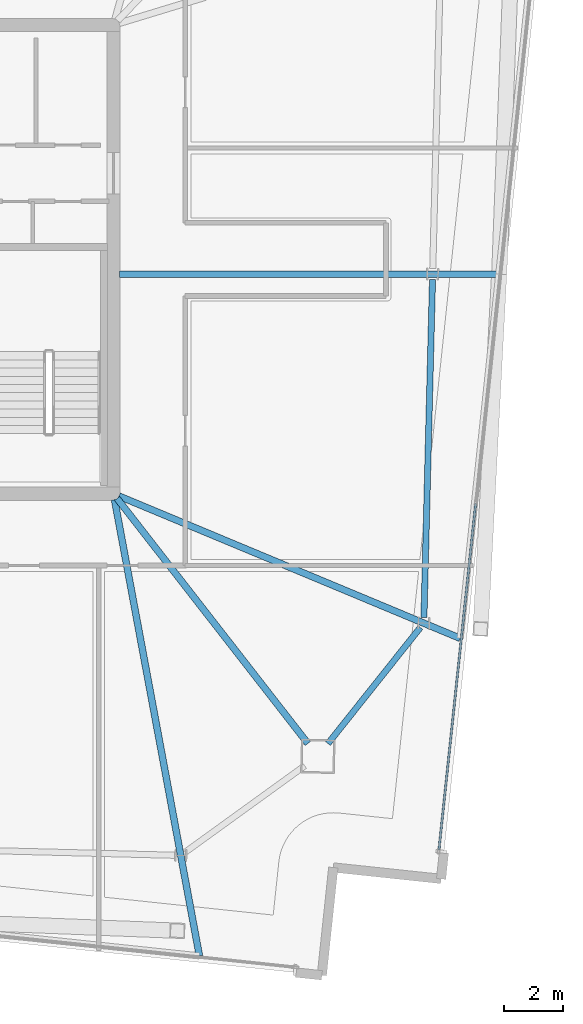
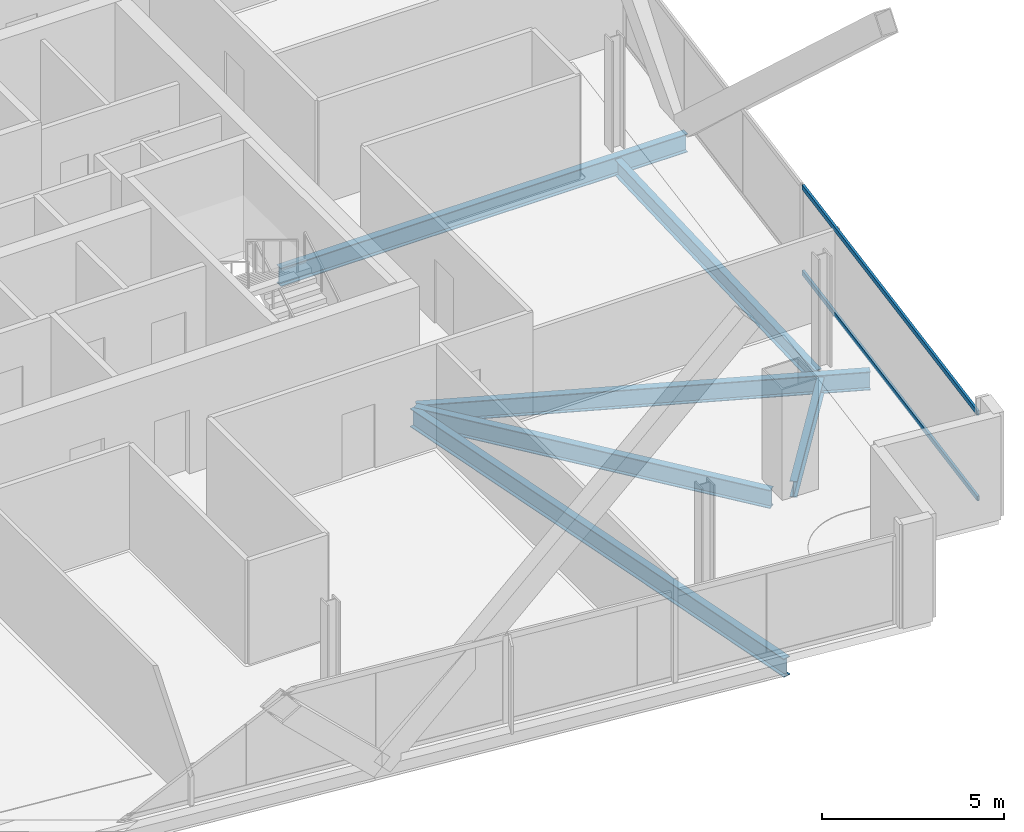
# One storey, part 8 of 24: 6 beams, 2 members, 1 element without a shape of its own.
"""IFC4 building model written with IfcOpenShell, lengths in metres."""

import ifcopenshell
import ifcopenshell.guid

model = None  # the IFC model being written
_history = None  # IfcOwnerHistory: only IFC2X3 demands one
_inside = {}  # id of a spatial element -> (the spatial element, [elements in it])
_under = {}  # id of a project, library or spatial element -> (it, [spatial elements below it])
_declared = {}  # id of a project -> (the project, [libraries it declares])
_typed = {}  # id of a type object -> (the type object, [elements of that type])
_made_of = {}  # id of a material, layer set ... -> (it, [elements and type objects made of it])


def new_model(schema):
    """Start an empty IFC model of exactly this schema.

    Asked for "IFC4X3", IfcOpenShell would pick the latest addendum, in which some entities
    have other attributes; the version numbers below select the first issue.
    IFC2X3 requires an IfcOwnerHistory on every rooted entity: one is made here for all.
    """
    global model, _history
    if schema == "IFC4X3":
        model = ifcopenshell.file(schema_version=(4, 3, 0, 0))
    else:
        model = ifcopenshell.file(schema=schema)
    _inside.clear()
    _under.clear()
    _declared.clear()
    _typed.clear()
    _made_of.clear()
    _history = None
    if model.schema == "IFC2X3":
        org = make("IfcOrganization", Name="unknown")
        user = make(
            "IfcPersonAndOrganization",
            ThePerson=make("IfcPerson", FamilyName="unknown"),
            TheOrganization=org,
        )
        app = make(
            "IfcApplication",
            ApplicationDeveloper=org,
            Version="unknown",
            ApplicationFullName="unknown",
            ApplicationIdentifier="unknown",
        )
        _history = make(
            "IfcOwnerHistory",
            OwningUser=user,
            OwningApplication=app,
            ChangeAction="ADDED",
            CreationDate=0,
        )
    return model


def make(cls, **values):
    """One entity of the class cls with the attributes given. An attribute that is None is left unset."""
    return model.create_entity(
        cls, **{name: value for name, value in values.items() if value is not None}
    )


def rooted(cls, **values):
    """An entity with a GlobalId (a new one), such as an element, a storey or a relation."""
    return make(cls, GlobalId=ifcopenshell.guid.new(), OwnerHistory=_history, **values)


def si_unit(unit_type, name, prefix=None):
    """IfcSIUnit, for example si_unit("LENGTHUNIT", "METRE", prefix="MILLI")."""
    return make("IfcSIUnit", UnitType=unit_type, Prefix=prefix, Name=name)


def assignment(units):
    """IfcUnitAssignment: the units of a project."""
    return None if units is None else make("IfcUnitAssignment", Units=units)


def point(xyz):
    """IfcCartesianPoint."""
    return None if xyz is None else make("IfcCartesianPoint", Coordinates=xyz)


def direction(xyz):
    """IfcDirection."""
    return None if xyz is None else make("IfcDirection", DirectionRatios=xyz)


def frame(location, z_axis=None, x_axis=None):
    """IfcAxis2Placement3D, a coordinate frame: its origin and axes. An axis left out is left unset."""
    return make(
        "IfcAxis2Placement3D",
        Location=point(location),
        Axis=direction(z_axis),
        RefDirection=direction(x_axis),
    )


def frame_2d(location, x_axis=None):
    """IfcAxis2Placement2D, a coordinate frame in the plane: its origin and x axis."""
    return make(
        "IfcAxis2Placement2D", Location=point(location), RefDirection=direction(x_axis)
    )


def origin():
    """The frame at (0, 0, 0) with its axes left unset."""
    return frame((0.0, 0.0, 0.0))


def origin_2d():
    """The frame at (0, 0) in the plane with its x axis left unset."""
    return frame_2d((0.0, 0.0))


def place(relative_to, where):
    """IfcLocalPlacement: puts the frame where relative to a parent placement (None: the world)."""
    return make(
        "IfcLocalPlacement", PlacementRelTo=relative_to, RelativePlacement=where
    )


def context(
    kind, dimensions, precision=None, world=None, true_north=None, identifier=None
):
    """IfcGeometricRepresentationContext, for example the 3D "Model" context."""
    return make(
        "IfcGeometricRepresentationContext",
        ContextIdentifier=identifier,
        ContextType=kind,
        CoordinateSpaceDimension=dimensions,
        Precision=precision,
        WorldCoordinateSystem=world,
        TrueNorth=true_north,
    )


def subcontext(parent, identifier, kind, view, scale=None):
    """IfcGeometricRepresentationSubContext, for example "Body" below "Model"."""
    return make(
        "IfcGeometricRepresentationSubContext",
        ContextIdentifier=identifier,
        ContextType=kind,
        ParentContext=parent,
        TargetScale=scale,
        TargetView=view,
    )


def project(units=None, contexts=None):
    """IfcProject with its units and contexts."""
    return rooted(
        "IfcProject",
        Name="project",
        RepresentationContexts=contexts,
        UnitsInContext=assignment(units),
    )


def spatial(cls, under=None, at=None, **own):
    """A site, building, storey or space (cls), placed at a placement, below another one or the project."""
    s = rooted(cls, ObjectPlacement=at, **own)
    if under is not None:
        _under.setdefault(under.id(), (under, []))[1].append(s)
    return s


def profile(cls, at=None, kind="AREA", **sizes):
    """A parametric profile (cls). Its sizes go by their IFC names, for example OverallWidth=200.0."""
    return make(cls, ProfileType=kind, Position=at, **sizes)


def hollow_rectangle(**sizes):
    """IfcRectangleHollowProfileDef."""
    return profile("IfcRectangleHollowProfileDef", **sizes)


def i_section(**sizes):
    """IfcIShapeProfileDef."""
    return profile("IfcIShapeProfileDef", **sizes)


def extrude(swept, where, along, depth):
    """IfcExtrudedAreaSolid: the profile swept, set in the frame where, extruded along a direction by depth."""
    return make(
        "IfcExtrudedAreaSolid",
        SweptArea=swept,
        Position=where,
        ExtrudedDirection=direction(along),
        Depth=depth,
    )


def shape(context_of_items, identifier, shape_type, items):
    """IfcShapeRepresentation: the items that make up one representation, for example the "Body"."""
    return make(
        "IfcShapeRepresentation",
        ContextOfItems=context_of_items,
        RepresentationIdentifier=identifier,
        RepresentationType=shape_type,
        Items=items,
    )


def material(Name=None, Category=None):
    """IfcMaterial."""
    return make("IfcMaterial", Name=Name, Category=Category)


def material_profile(
    of_material, cross_section, Name=None, Category=None, Priority=None
):
    """IfcMaterialProfile: a cross section and its material."""
    return make(
        "IfcMaterialProfile",
        Name=Name,
        Material=of_material,
        Profile=cross_section,
        Priority=Priority,
        Category=Category,
    )


def profile_set(profiles, Name=None, composite=None):
    """IfcMaterialProfileSet."""
    return make(
        "IfcMaterialProfileSet",
        Name=Name,
        MaterialProfiles=profiles,
        CompositeProfile=composite,
    )


def made_of(thing, what):
    """Note that an element or type object is made of a material, layer set ...; save() writes the relation."""
    if what is not None:
        _made_of.setdefault(what.id(), (what, []))[1].append(thing)
    return thing


def type_object(cls, material=None, **own):
    """A type object (cls), such as IfcWallType, which elements share."""
    return made_of(rooted(cls, **own), material)


def element(
    cls,
    number,
    at=None,
    inside=None,
    cuts=None,
    type_object=None,
    material=None,
    context=None,
    identifier="Body",
    shape_type=None,
    held_by="IfcProductDefinitionShape",
    body=None,
    shapes=None,
    **own,
):
    """One element of the class cls, such as IfcWall. Its Tag is "e" and its number.

    at: its placement. inside: the storey or other place that contains it. cuts: it is an
    opening in that element (IfcRelVoidsElement). A single representation is given by context,
    identifier, shape_type and body (its items); several are given by shapes. held_by: the class
    of the entity that holds the representations. save() writes the other relations.
    """
    e = rooted(cls, Tag="e%d" % number, ObjectPlacement=at, **own)
    if body is not None:
        shapes = [shape(context, identifier, shape_type, body)]
    if shapes is not None:
        e.Representation = make(held_by, Representations=shapes)
    if inside is not None:
        _inside.setdefault(inside.id(), (inside, []))[1].append(e)
    if cuts is not None:
        rooted(
            "IfcRelVoidsElement", RelatingBuildingElement=cuts, RelatedOpeningElement=e
        )
    if type_object is not None:
        _typed.setdefault(type_object.id(), (type_object, []))[1].append(e)
    return made_of(e, material)


def aggregate(whole, parts):
    """IfcRelAggregates: a whole, such as a stair, and the parts it consists of."""
    return rooted("IfcRelAggregates", RelatingObject=whole, RelatedObjects=parts)


def save(model, path):
    """Write the relations noted so far, then the file.

    IfcRelAggregates (storeys below a building ...), IfcRelContainedInSpatialStructure (elements
    in a storey), IfcRelDefinesByType, IfcRelAssociatesMaterial and IfcRelDeclares: one each for
    every whole, place, type object, material and project.
    """
    for whole, parts in _under.values():
        aggregate(whole, parts)
    for where, things in _inside.values():
        rooted(
            "IfcRelContainedInSpatialStructure",
            RelatedElements=things,
            RelatingStructure=where,
        )
    for kind, things in _typed.values():
        rooted("IfcRelDefinesByType", RelatedObjects=things, RelatingType=kind)
    for what, things in _made_of.values():
        rooted("IfcRelAssociatesMaterial", RelatedObjects=things, RelatingMaterial=what)
    for by, libraries in _declared.values():
        rooted("IfcRelDeclares", RelatingContext=by, RelatedDefinitions=libraries)
    model.write(path)


model = new_model("IFC4")

# Units and contexts
model_context = context("Model", 3, precision=1e-05, world=origin(), true_north=direction((0.0, 1.0)))
body_context = subcontext(model_context, "Body", "Model", "MODEL_VIEW")
ifc_project = project(units=[si_unit("LENGTHUNIT", "METRE"), si_unit("AREAUNIT", "SQUARE_METRE"), si_unit("VOLUMEUNIT", "CUBIC_METRE"), si_unit("PLANEANGLEUNIT", "RADIAN"), si_unit("MASSUNIT", "GRAM", prefix="KILO")], contexts=[model_context])

# Site, building, storey
site_placement = place(None, origin())
site = spatial("IfcSite", under=ifc_project, at=site_placement, CompositionType="ELEMENT")
building_placement = place(site_placement, origin())
building = spatial("IfcBuilding", under=site, at=building_placement, Name="Haldenkirk Collegiate Tower", CompositionType="ELEMENT")
storey_placement = place(building_placement, frame((0.0, 0.0, 310.199951171875)))
storey = spatial("IfcBuildingStorey", under=building, at=storey_placement, Name="L78", CompositionType="ELEMENT", Elevation=310.199951171875)

# Beams
ifc_material_1 = material(Name="Steel ASTM A992 Grade 50", Category="steel")
ifc_material_profile_1 = material_profile(ifc_material_1, i_section(OverallWidth=0.22998046875, OverallDepth=0.616943359375, WebThickness=0.01318359375, FlangeThickness=0.022216796875, at=origin_2d()), Name="W24X94")
ifc_profile_set_1 = profile_set([ifc_material_profile_1], Name="Steel ASTM A992 Grade 50")
beam_type_1 = type_object("IfcBeamType", Name="BM-GIRDER-W24X94", PredefinedType="BEAM", material=ifc_profile_set_1)
beam_1_placement = place(storey_placement, frame((51.635009765625, 9.478271484375, -0.568359375), z_axis=(-0.614347328176, 0.789035715518, 0.0), x_axis=(-0.789035715518, -0.614347328176, 0.0)))
element("IfcBeam", 1, at=beam_1_placement, inside=storey, type_object=beam_type_1, Name="L78 primary floor girder 01", PredefinedType="BEAM", context=body_context, shape_type="SweptSolid", body=[
    extrude(i_section(OverallWidth=0.22998046875, OverallDepth=0.616943359375, WebThickness=0.01318359375, FlangeThickness=0.022216796875, at=origin_2d()), origin(), (0.0, 0.0, 1.0), 10.594970703125),
])
beam_2_placement = place(storey_placement, frame((56.8330078125, 13.06689453125, -0.568359375), z_axis=(-0.923001898394, 0.384795394413, 0.0), x_axis=(-0.384795394413, -0.923001898394, 0.0)))
element("IfcBeam", 2, at=beam_2_placement, inside=storey, type_object=beam_type_1, Name="L78 primary floor girder 05", PredefinedType="BEAM", context=body_context, shape_type="SweptSolid", body=[
    extrude(i_section(OverallWidth=0.22998046875, OverallDepth=0.616943359375, WebThickness=0.01318359375, FlangeThickness=0.022216796875, at=origin_2d()), origin(), (0.0, 0.0, 1.0), 12.615234375),
])
beam_3_placement = place(storey_placement, frame((58.150390625, 25.496337890625, -0.568359375), z_axis=(-1.0, 0.0, 0.0), x_axis=(0.0, -1.0, 0.0)))
element("IfcBeam", 3, at=beam_3_placement, inside=storey, type_object=beam_type_1, Name="L78 primary floor girder 06", PredefinedType="BEAM", context=body_context, shape_type="SweptSolid", body=[
    extrude(i_section(OverallWidth=0.22998046875, OverallDepth=0.616943359375, WebThickness=0.01318359375, FlangeThickness=0.022216796875, at=origin_2d()), origin(), (0.0, 0.0, 1.0), 12.9453125),
])
beam_4_placement = place(storey_placement, frame((47.934814453125, 2.229736328125, -0.568359375), z_axis=(-0.182949846509, 0.983122247568, 0.0), x_axis=(-0.983122247568, -0.182949846509, 0.0)))
element("IfcBeam", 4, at=beam_4_placement, inside=storey, type_object=beam_type_1, Name="L78 primary floor girder 16", PredefinedType="BEAM", context=body_context, shape_type="SweptSolid", body=[
    extrude(i_section(OverallWidth=0.22998046875, OverallDepth=0.616943359375, WebThickness=0.01318359375, FlangeThickness=0.022216796875, at=origin_2d()), origin(), (0.0, 0.0, 1.0), 15.836181640625),
])
ifc_material_profile_2 = material_profile(ifc_material_1, i_section(OverallWidth=0.2099609375, OverallDepth=0.537109375, WebThickness=0.010986328125, FlangeThickness=0.017333984375, at=origin_2d()), Name="W21X68")
ifc_profile_set_2 = profile_set([ifc_material_profile_2], Name="Steel ASTM A992 Grade 50")
beam_type_2 = type_object("IfcBeamType", Name="BM-SPANDREL-W21X68", PredefinedType="SPANDREL", material=ifc_profile_set_2)
beam_5_placement = place(storey_placement, frame((52.321533203125, 9.474609375, -0.528564453125), z_axis=(0.622700032294, 0.782460650628, 0.0), x_axis=(-0.782460650628, 0.622700032294, 0.0)))
element("IfcBeam", 5, at=beam_5_placement, inside=storey, type_object=beam_type_2, Name="L78 perimeter spandrel beam 01", PredefinedType="SPANDREL", context=body_context, shape_type="SweptSolid", body=[
    extrude(i_section(OverallWidth=0.2099609375, OverallDepth=0.537109375, WebThickness=0.010986328125, FlangeThickness=0.017333984375, at=origin_2d()), origin(), (0.0, 0.0, 1.0), 5.064453125),
])
beam_6_placement = place(storey_placement, frame((55.596923828125, 13.772216796875, -0.528564453125), z_axis=(0.025302458902, 0.999679841536, 0.0), x_axis=(-0.999679841536, 0.025302458902, 0.0)))
element("IfcBeam", 6, at=beam_6_placement, inside=storey, type_object=beam_type_2, Name="L78 perimeter spandrel beam 02", PredefinedType="SPANDREL", context=body_context, shape_type="SweptSolid", body=[
    extrude(i_section(OverallWidth=0.2099609375, OverallDepth=0.537109375, WebThickness=0.010986328125, FlangeThickness=0.017333984375, at=origin_2d()), origin(), (0.0, 0.0, 1.0), 11.5400390625),
])

# Curtain wall, members
ifc_material_2 = material(Name="Anodised architectural bronze aluminium", Category="aluminium")
curtain_wall_type = type_object("IfcCurtainWallType", Name="CW-SYS2-CONCAVE", PredefinedType="USERDEFINED", material=ifc_material_2)
curtain_wall_placement = place(storey_placement, origin())
curtain_wall = element("IfcCurtainWall", 7, at=curtain_wall_placement, inside=storey, type_object=curtain_wall_type, Name="L78 South concave recessed bronze-anodised curtain wall", ObjectType="UNITISED CURTAIN WALL", PredefinedType="USERDEFINED")
ifc_material_profile_3 = material_profile(ifc_material_2, hollow_rectangle(XDim=0.074951171875, YDim=0.159912109375, WallThickness=0.0048828125, at=origin_2d()), Name="CW-TRN-02")
ifc_profile_set_3 = profile_set([ifc_material_profile_3], Name="Anodised architectural bronze aluminium")
member_type = type_object("IfcMemberType", Name="CW-TRN-02", PredefinedType="USERDEFINED", material=ifc_profile_set_3)
member_1_placement = place(storey_placement, frame((57.360595703125, 17.664794921875, 0.03759765625), z_axis=(-0.105398902925, -0.994430023311, 0.0), x_axis=(0.994430023311, -0.105398902925, 0.0)))
member_1 = element("IfcMember", 8, at=member_1_placement, type_object=member_type, Name="CW-02 transom 3.1", ObjectType="TRANSOM", PredefinedType="USERDEFINED", context=body_context, shape_type="SweptSolid", body=[
    extrude(hollow_rectangle(XDim=0.074951171875, YDim=0.159912109375, WallThickness=0.0048828125, at=origin_2d()), origin(), (0.0, 0.0, 1.0), 11.887451171875),
])
member_2_placement = place(storey_placement, frame((57.360595703125, 17.664794921875, 2.91064453125), z_axis=(-0.105398902925, -0.994430023311, 0.0), x_axis=(0.994430023311, -0.105398902925, 0.0)))
member_2 = element("IfcMember", 9, at=member_2_placement, type_object=member_type, Name="CW-02 transom 3.2", ObjectType="TRANSOM", PredefinedType="USERDEFINED", context=body_context, shape_type="SweptSolid", body=[
    extrude(hollow_rectangle(XDim=0.074951171875, YDim=0.159912109375, WallThickness=0.0048828125, at=origin_2d()), origin(), (0.0, 0.0, 1.0), 11.887451171875),
])
aggregate(curtain_wall, [member_1, member_2])

save(model, "model.ifc")
